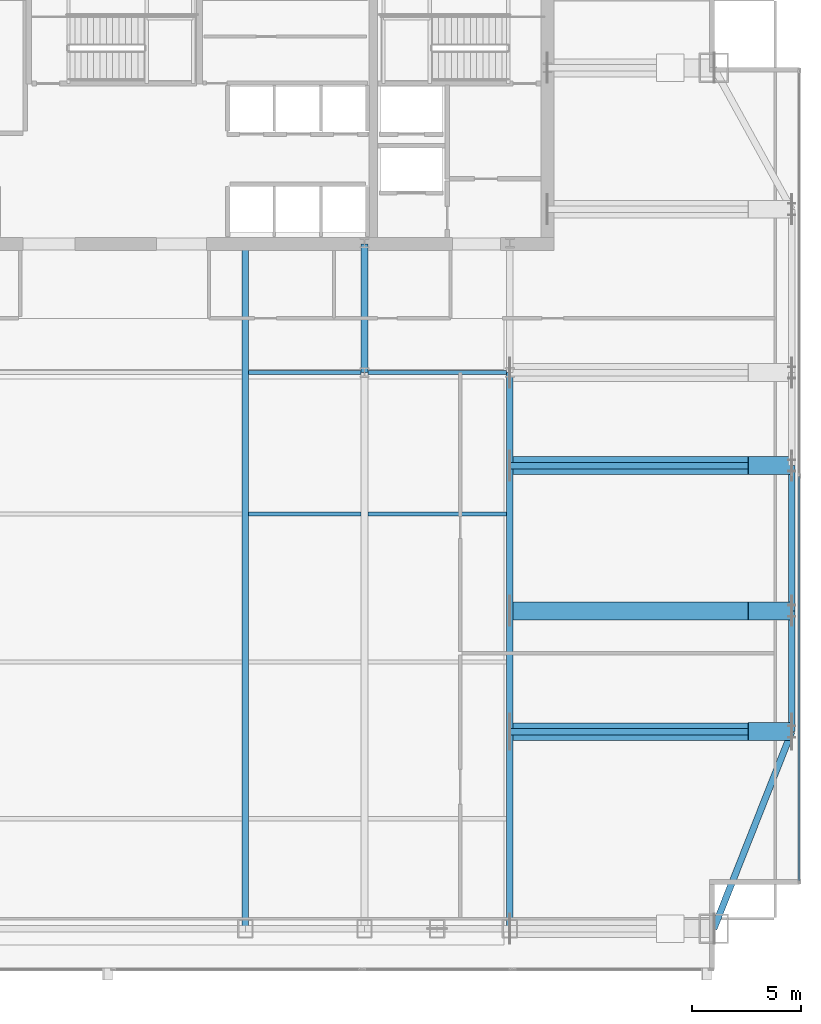
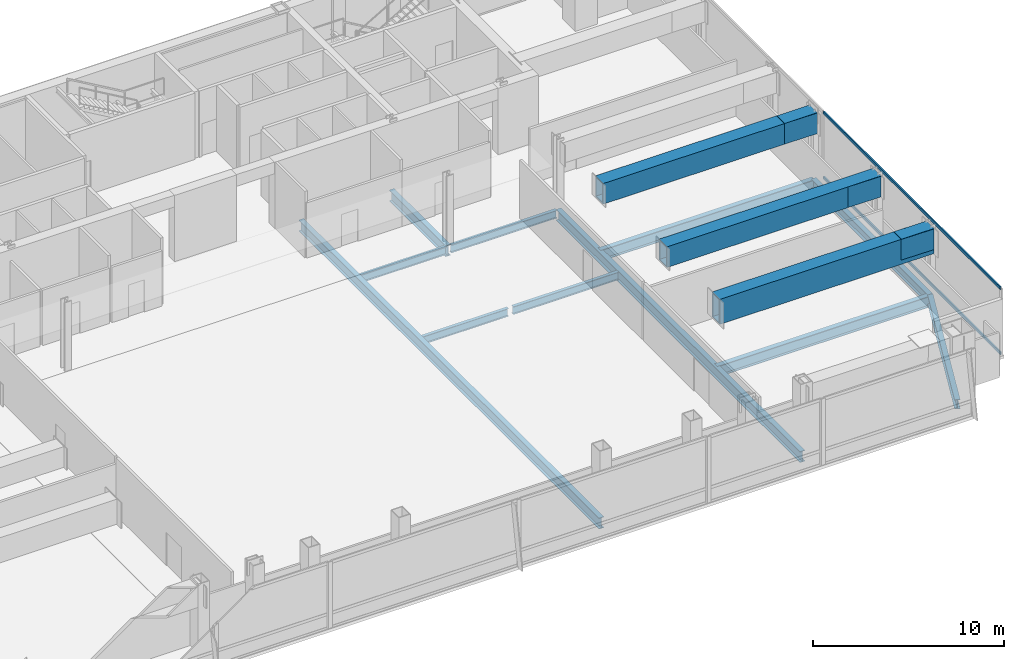
# One storey, part 14 of 25: 18 beams, 2 members, 1 element without a shape of its own.
"""IFC4 building model written with IfcOpenShell, lengths in metres."""

from ifc_helpers import new_model, si_unit, direction, frame, origin, origin_2d, place, context, subcontext, project, spatial, hollow_rectangle, i_section, extrude, material, material_profile, profile_set, type_object, element, aggregate, save


model = new_model("IFC4")

# Units and contexts
model_context = context("Model", 3, precision=1e-05, world=origin(), true_north=direction((0.0, 1.0)))
body_context = subcontext(model_context, "Body", "Model", "MODEL_VIEW")
ifc_project = project(units=[si_unit("LENGTHUNIT", "METRE"), si_unit("AREAUNIT", "SQUARE_METRE"), si_unit("VOLUMEUNIT", "CUBIC_METRE"), si_unit("PLANEANGLEUNIT", "RADIAN"), si_unit("MASSUNIT", "GRAM", prefix="KILO")], contexts=[model_context])

# Site, building, storey
site_placement = place(None, origin())
site = spatial("IfcSite", under=ifc_project, at=site_placement, CompositionType="ELEMENT")
building_placement = place(site_placement, origin())
building = spatial("IfcBuilding", under=site, at=building_placement, Name="Khoronbel Lancet Exchange", CompositionType="ELEMENT")
storey_placement = place(building_placement, frame((0.0, 0.0, 184.199951171875)))
storey = spatial("IfcBuildingStorey", under=building, at=storey_placement, Name="L46", CompositionType="ELEMENT", Elevation=184.199951171875)

# Beams
ifc_material_1 = material(Name="Steel S355", Category="steel")
ifc_material_profile_1 = material_profile(ifc_material_1, i_section(OverallWidth=0.300048828125, OverallDepth=0.699951171875, WebThickness=0.01708984375, FlangeThickness=0.031982421875, at=origin_2d()), Name="HEB 700")
ifc_profile_set_1 = profile_set([ifc_material_profile_1], Name="Steel S355")
beam_type_1 = type_object("IfcBeamType", Name="BM-BG3", PredefinedType="BEAM", material=ifc_profile_set_1)
beam_1_placement = place(storey_placement, frame((42.52490234375, 10.14990234375, -0.550048828125), z_axis=(0.0, 1.0, 0.0), x_axis=(-1.0, 0.0, 0.0)))
element("IfcBeam", 1, at=beam_1_placement, inside=storey, type_object=beam_type_1, Name="Level L46 primary floor girder G4", PredefinedType="BEAM", context=body_context, shape_type="SweptSolid", body=[
    extrude(i_section(OverallWidth=0.300048828125, OverallDepth=0.699951171875, WebThickness=0.01708984375, FlangeThickness=0.031982421875, at=origin_2d()), origin(), (0.0, 0.0, 1.0), 31.4501953125),
])
beam_2_placement = place(storey_placement, frame((48.0, 35.699951171875, -0.550048828125), z_axis=(0.0, 1.0, 0.0), x_axis=(-1.0, 0.0, 0.0)))
element("IfcBeam", 2, at=beam_2_placement, inside=storey, type_object=beam_type_1, Name="Level L46 spine tie girder GN5", PredefinedType="BEAM", context=body_context, shape_type="SweptSolid", body=[
    extrude(i_section(OverallWidth=0.300048828125, OverallDepth=0.699951171875, WebThickness=0.01708984375, FlangeThickness=0.031982421875, at=origin_2d()), origin(), (0.0, 0.0, 1.0), 5.900146484375),
])
beam_3_placement = place(storey_placement, frame((54.675048828125, 10.14990234375, -0.550048828125), z_axis=(0.0, 1.0, 0.0), x_axis=(-1.0, 0.0, 0.0)))
element("IfcBeam", 3, at=beam_3_placement, inside=storey, type_object=beam_type_1, Name="Level L46 south primary girder GS6", PredefinedType="BEAM", context=body_context, shape_type="SweptSolid", body=[
    extrude(i_section(OverallWidth=0.300048828125, OverallDepth=0.699951171875, WebThickness=0.01708984375, FlangeThickness=0.031982421875, at=origin_2d()), origin(), (0.0, 0.0, 1.0), 25.550048828125),
])
for number, where, z_axis, x_axis, name in (
    (4, (54.675048828125, 19.199951171875, -0.550048828125), (1.0, 0.0, 0.0), (0.0, 1.0, 0.0), "Level L46 east lens tie girder LG1E"),
    (5, (54.675048828125, 31.425048828125, -0.550048828125), (1.0, 0.0, 0.0), (0.0, 1.0, 0.0), "Level L46 east lens tie girder LG2E"),
):
    element("IfcBeam", number, at=place(storey_placement, frame(where, z_axis=z_axis, x_axis=x_axis)), inside=storey, type_object=beam_type_1, Name=name, PredefinedType="BEAM", context=body_context, shape_type="SweptSolid", body=[
        extrude(i_section(OverallWidth=0.300048828125, OverallDepth=0.699951171875, WebThickness=0.01708984375, FlangeThickness=0.031982421875, at=origin_2d()), origin(), (0.0, 0.0, 1.0), 12.954833984375),
    ])
ifc_material_profile_2 = material_profile(ifc_material_1, i_section(OverallWidth=0.199951171875, OverallDepth=0.5, WebThickness=0.01025390625, FlangeThickness=0.01611328125, at=origin_2d()), Name="IPE 500")
ifc_profile_set_2 = profile_set([ifc_material_profile_2], Name="Steel S355")
beam_type_2 = type_object("IfcBeamType", Name="BM-BJ3", PredefinedType="JOIST", material=ifc_profile_set_2)
beam_4_placement = place(storey_placement, frame((42.675048828125, 29.199951171875, -0.449951171875), z_axis=(1.0, 0.0, 0.0), x_axis=(0.0, 1.0, 0.0)))
element("IfcBeam", 6, at=beam_4_placement, inside=storey, type_object=beam_type_2, Name="Level L46 secondary composite joist J14", PredefinedType="JOIST", context=body_context, shape_type="SweptSolid", body=[
    extrude(i_section(OverallWidth=0.199951171875, OverallDepth=0.5, WebThickness=0.01025390625, FlangeThickness=0.01611328125, at=origin_2d()), origin(), (0.0, 0.0, 1.0), 5.175048828125),
])
beam_5_placement = place(storey_placement, frame((48.14990234375, 29.199951171875, -0.449951171875), z_axis=(1.0, 0.0, 0.0), x_axis=(0.0, 1.0, 0.0)))
element("IfcBeam", 7, at=beam_5_placement, inside=storey, type_object=beam_type_2, Name="Level L46 secondary composite joist J15", PredefinedType="JOIST", context=body_context, shape_type="SweptSolid", body=[
    extrude(i_section(OverallWidth=0.199951171875, OverallDepth=0.5, WebThickness=0.01025390625, FlangeThickness=0.01611328125, at=origin_2d()), origin(), (0.0, 0.0, 1.0), 6.375),
])
beam_6_placement = place(storey_placement, frame((42.675048828125, 35.699951171875, -0.449951171875), z_axis=(1.0, 0.0, 0.0), x_axis=(0.0, 1.0, 0.0)))
element("IfcBeam", 8, at=beam_6_placement, inside=storey, type_object=beam_type_2, Name="Level L46 secondary composite joist J19", PredefinedType="JOIST", context=body_context, shape_type="SweptSolid", body=[
    extrude(i_section(OverallWidth=0.199951171875, OverallDepth=0.5, WebThickness=0.01025390625, FlangeThickness=0.01611328125, at=origin_2d()), origin(), (0.0, 0.0, 1.0), 5.175048828125),
])
beam_7_placement = place(storey_placement, frame((48.14990234375, 35.699951171875, -0.449951171875), z_axis=(1.0, 0.0, 0.0), x_axis=(0.0, 1.0, 0.0)))
element("IfcBeam", 9, at=beam_7_placement, inside=storey, type_object=beam_type_2, Name="Level L46 secondary composite joist J20", PredefinedType="JOIST", context=body_context, shape_type="SweptSolid", body=[
    extrude(i_section(OverallWidth=0.199951171875, OverallDepth=0.5, WebThickness=0.01025390625, FlangeThickness=0.01611328125, at=origin_2d()), origin(), (0.0, 0.0, 1.0), 6.375),
])
ifc_material_profile_3 = material_profile(ifc_material_1, i_section(OverallWidth=0.300048828125, OverallDepth=0.60009765625, WebThickness=0.015380859375, FlangeThickness=0.030029296875, at=origin_2d()), Name="HEB 600")
ifc_profile_set_3 = profile_set([ifc_material_profile_3], Name="Steel S355")
beam_type_3 = type_object("IfcBeamType", Name="BM-BSP2", PredefinedType="SPANDREL", material=ifc_profile_set_3)
beam_8_placement = place(storey_placement, frame((64.050048828125, 10.14990234375, -0.5), z_axis=(0.367828403855, 0.929893684954, 0.0), x_axis=(-0.929893684954, 0.367828403855, 0.0)))
element("IfcBeam", 10, at=beam_8_placement, inside=storey, type_object=beam_type_3, Name="Level L46 perimeter spandrel beam SP10", PredefinedType="SPANDREL", context=body_context, shape_type="SweptSolid", body=[
    extrude(i_section(OverallWidth=0.300048828125, OverallDepth=0.60009765625, WebThickness=0.015380859375, FlangeThickness=0.030029296875, at=origin_2d()), origin(), (0.0, 0.0, 1.0), 9.732421875),
])
beam_9_placement = place(storey_placement, frame((67.6298828125, 19.199951171875, -0.5), z_axis=(0.0, 1.0, 0.0), x_axis=(-1.0, 0.0, 0.0)))
element("IfcBeam", 11, at=beam_9_placement, inside=storey, type_object=beam_type_3, Name="Level L46 perimeter spandrel beam SP11", PredefinedType="SPANDREL", context=body_context, shape_type="SweptSolid", body=[
    extrude(i_section(OverallWidth=0.300048828125, OverallDepth=0.60009765625, WebThickness=0.015380859375, FlangeThickness=0.030029296875, at=origin_2d()), origin(), (0.0, 0.0, 1.0), 5.550048828125),
])
beam_10_placement = place(storey_placement, frame((67.6298828125, 24.75, -0.5), z_axis=(0.0, 1.0, 0.0), x_axis=(-1.0, 0.0, 0.0)))
element("IfcBeam", 12, at=beam_10_placement, inside=storey, type_object=beam_type_3, Name="Level L46 perimeter spandrel beam SP12", PredefinedType="SPANDREL", context=body_context, shape_type="SweptSolid", body=[
    extrude(i_section(OverallWidth=0.300048828125, OverallDepth=0.60009765625, WebThickness=0.015380859375, FlangeThickness=0.030029296875, at=origin_2d()), origin(), (0.0, 0.0, 1.0), 6.675048828125),
])
ifc_material_2 = material(Name="Steel S460", Category="steel")
ifc_material_profile_4 = material_profile(ifc_material_2, hollow_rectangle(XDim=0.800048828125, YDim=1.60009765625, WallThickness=0.06494140625, at=origin_2d()), Name="BOX 800x1600x65")
ifc_profile_set_4 = profile_set([ifc_material_profile_4], Name="Steel S460")
beam_type_4 = type_object("IfcBeamType", Name="BM-TG2", PredefinedType="USERDEFINED", material=ifc_profile_set_4)
beam_11_placement = place(storey_placement, frame((54.675048828125, 19.199951171875, 3.43994140625), z_axis=(1.0, 0.0, 0.0), x_axis=(0.0, 1.0, 0.0)))
element("IfcBeam", 13, at=beam_11_placement, inside=storey, type_object=beam_type_4, Name="Lens setback S460 transfer girder L46-E1", ObjectType="TRANSFER GIRDER", PredefinedType="USERDEFINED", context=body_context, shape_type="SweptSolid", body=[
    extrude(hollow_rectangle(XDim=0.800048828125, YDim=1.60009765625, WallThickness=0.06494140625, at=origin_2d()), origin(), (0.0, 0.0, 1.0), 12.954833984375),
])
ifc_material_profile_5 = material_profile(ifc_material_2, hollow_rectangle(XDim=0.820068359375, YDim=1.320068359375, WallThickness=0.070068359375, at=origin_2d()), Name="BOX 820x1320x70")
ifc_profile_set_5 = profile_set([ifc_material_profile_5], Name="Steel S460")
beam_type_5 = type_object("IfcBeamType", Name="BM-TG4", PredefinedType="USERDEFINED", material=ifc_profile_set_5)
for number, where, z_axis, x_axis, name in (
    (14, (67.6298828125, 19.199951171875, 3.56005859375), (-0.99994990606, 0.0, 0.010009264196), (0.0, -1.0, 0.0), "Setback transfer knee-brace girder L46-EC-1"),
    (15, (67.6298828125, 24.75, 3.56005859375), (-0.99994990606, 0.0, 0.010009264196), (0.0, -1.0, 0.0), "Setback transfer knee-brace girder L46-EC-2"),
    (16, (67.6298828125, 31.425048828125, 3.56005859375), (-0.99994990606, 0.0, 0.010009264196), (0.0, -1.0, 0.0), "Setback transfer knee-brace girder L46-EC-M"),
):
    element("IfcBeam", number, at=place(storey_placement, frame(where, z_axis=z_axis, x_axis=x_axis)), inside=storey, type_object=beam_type_5, Name=name, ObjectType="TRANSFER GIRDER", PredefinedType="USERDEFINED", context=body_context, shape_type="SweptSolid", body=[
        extrude(hollow_rectangle(XDim=0.820068359375, YDim=1.320068359375, WallThickness=0.070068359375, at=origin_2d()), origin(), (0.0, 0.0, 1.0), 2.0),
    ])
for number, where, z_axis, x_axis, name in (
    (17, (54.675048828125, 24.75, 3.580078125), (1.0, 0.0, 0.0), (0.0, 1.0, 0.0), "Lens setback S460 transfer girder L46-E2"),
    (18, (54.675048828125, 31.425048828125, 3.580078125), (1.0, 0.0, 0.0), (0.0, 1.0, 0.0), "Lens setback S460 transfer girder L46-E3"),
):
    element("IfcBeam", number, at=place(storey_placement, frame(where, z_axis=z_axis, x_axis=x_axis)), inside=storey, type_object=beam_type_5, Name=name, ObjectType="TRANSFER GIRDER", PredefinedType="USERDEFINED", context=body_context, shape_type="SweptSolid", body=[
        extrude(hollow_rectangle(XDim=0.820068359375, YDim=1.320068359375, WallThickness=0.070068359375, at=origin_2d()), origin(), (0.0, 0.0, 1.0), 12.954833984375),
    ])

# Curtain wall, members
ifc_material_3 = material(Name="Low-E Solar Control Insulating Glass", Category="glass")
curtain_wall_type = type_object("IfcCurtainWallType", Name="CW-4", PredefinedType="NOTDEFINED", material=ifc_material_3)
curtain_wall_placement = place(storey_placement, origin())
curtain_wall = element("IfcCurtainWall", 19, at=curtain_wall_placement, inside=storey, type_object=curtain_wall_type, Name="Unitised curtain wall CW-L46-E09", PredefinedType="NOTDEFINED")
ifc_material_4 = material(Name="Bronze-Anodised Aluminium 6063-T6", Category="aluminium")
ifc_material_profile_6 = material_profile(ifc_material_4, hollow_rectangle(XDim=0.0849609375, YDim=0.179931640625, WallThickness=0.0048828125, at=origin_2d()), Name="ALU TRANSOM 85x180")
ifc_profile_set_6 = profile_set([ifc_material_profile_6], Name="Bronze-Anodised Aluminium 6063-T6")
member_type = type_object("IfcMemberType", Name="MEM-CWT1", PredefinedType="USERDEFINED", material=ifc_profile_set_6)
member_1_placement = place(storey_placement, frame((67.9599609375, 30.91259765625, 0.04248046875), z_axis=(0.0, -1.0, 0.0), x_axis=(1.0, 0.0, 0.0)))
member_1 = element("IfcMember", 20, at=member_1_placement, type_object=member_type, Name="CW4 transom 2.1", ObjectType="TRANSOM", PredefinedType="USERDEFINED", context=body_context, shape_type="SweptSolid", body=[
    extrude(hollow_rectangle(XDim=0.0849609375, YDim=0.179931640625, WallThickness=0.0048828125, at=origin_2d()), origin(), (0.0, 0.0, 1.0), 18.547607421875),
])
member_2_placement = place(storey_placement, frame((67.9599609375, 30.91259765625, 4.197509765625), z_axis=(0.0, -1.0, 0.0), x_axis=(1.0, 0.0, 0.0)))
member_2 = element("IfcMember", 21, at=member_2_placement, type_object=member_type, Name="CW4 transom 2.2", ObjectType="TRANSOM", PredefinedType="USERDEFINED", context=body_context, shape_type="SweptSolid", body=[
    extrude(hollow_rectangle(XDim=0.0849609375, YDim=0.179931640625, WallThickness=0.0048828125, at=origin_2d()), origin(), (0.0, 0.0, 1.0), 18.547607421875),
])
aggregate(curtain_wall, [member_1, member_2])

save(model, "model.ifc")
